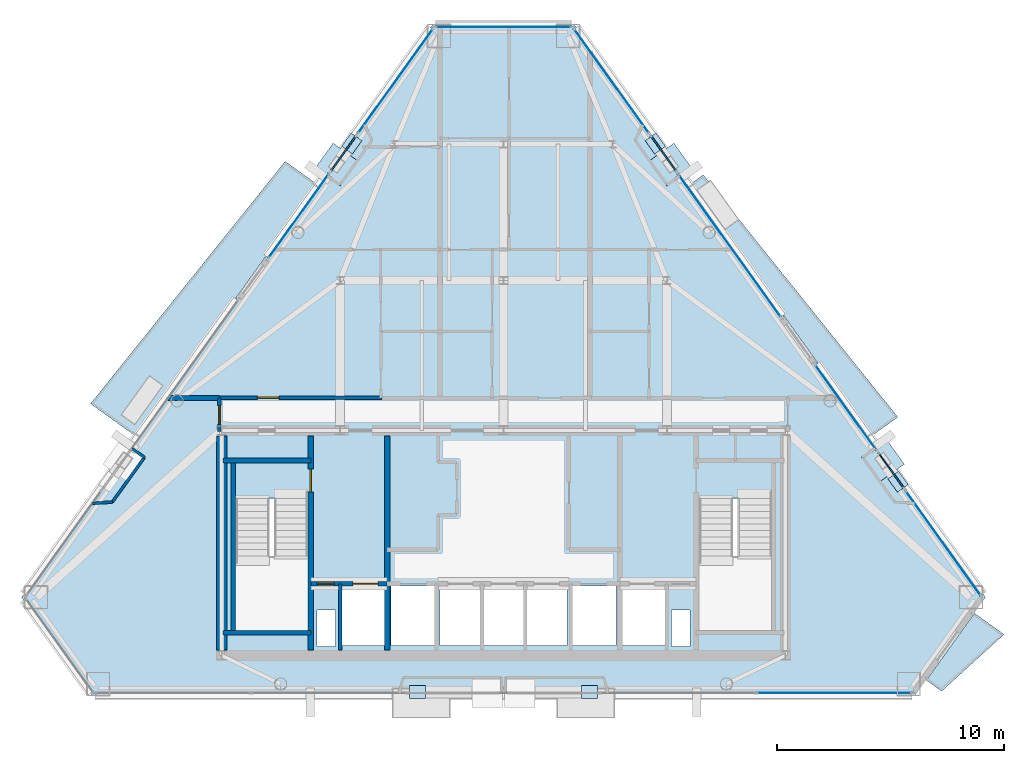
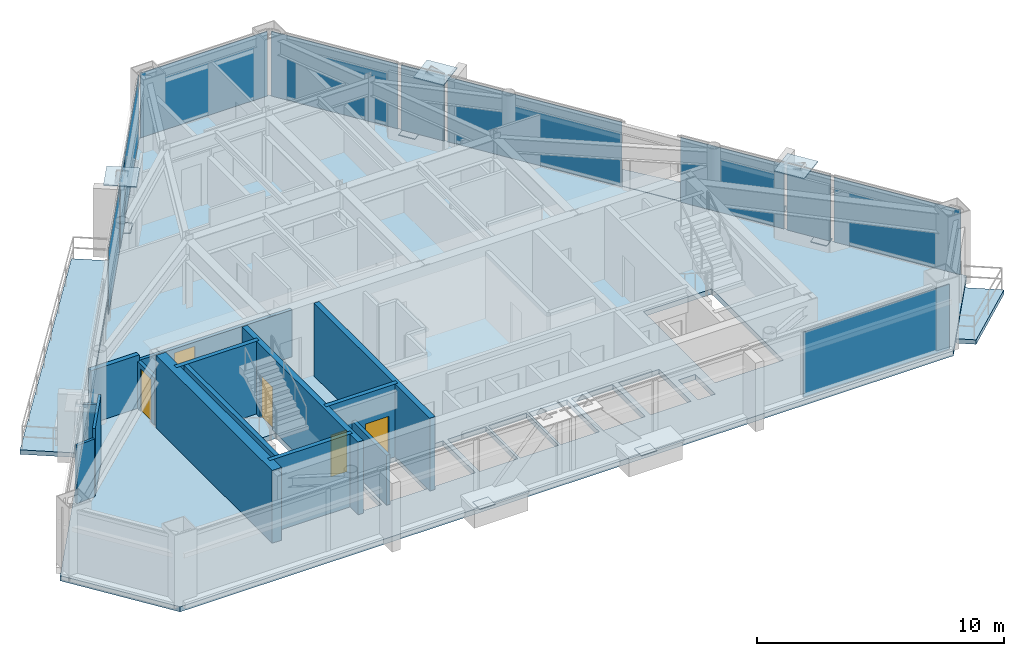
# One storey, part 7 of 12: 19 plates, 14 walls, 5 doors, 4 slabs, 5 openings, 11 elements without a shape of their own.
"""IFC4 building model written with IfcOpenShell, lengths in metres."""

from ifc_helpers import new_model, si_unit, direction, frame, frame_2d, origin, origin_2d, place, context, subcontext, project, spatial, polyline, rectangle, outline, extrude, source, transform, mapped, material, layer, layer_set, type_object, type_shapes, element, fill, aggregate, save


model = new_model("IFC4")

# Units and contexts
model_context = context("Model", 3, precision=1e-05, world=origin(), true_north=direction((0.0, 1.0)))
body_context = subcontext(model_context, "Body", "Model", "MODEL_VIEW")
ifc_project = project(units=[si_unit("LENGTHUNIT", "METRE"), si_unit("AREAUNIT", "SQUARE_METRE"), si_unit("VOLUMEUNIT", "CUBIC_METRE"), si_unit("PLANEANGLEUNIT", "RADIAN"), si_unit("MASSUNIT", "GRAM", prefix="KILO")], contexts=[model_context])

# Site, building, storey
site_placement = place(None, origin())
site = spatial("IfcSite", under=ifc_project, at=site_placement, CompositionType="ELEMENT")
building_placement = place(site_placement, origin())
building = spatial("IfcBuilding", under=site, at=building_placement, Name="Talgorran Terracotta Tower", CompositionType="ELEMENT")
storey_placement = place(building_placement, frame((0.0, 0.0, 221.699951171875)))
storey = spatial("IfcBuildingStorey", under=building, at=storey_placement, Name="L58", CompositionType="ELEMENT", Elevation=221.699951171875)

# Plates
ifc_material_1 = material(Name="Steel Grade 350 (350L0)", Category="steel")
ifc_layer_1 = layer(ifc_material_1, 0.031982421875, Name="PL_CAP_MN07")
ifc_layer_set_1 = layer_set([ifc_layer_1], Name="Steel Grade 350 (350L0)")
plate_type_1 = type_object("IfcPlateType", Name="PL_CAP_MN07", PredefinedType="USERDEFINED", material=ifc_layer_set_1)
for number, where, z_axis, x_axis, name in (
    (1, (-3.783203125, -15.712158203125, -0.005859375), (0.0, 0.0, 1.0), (1.0, 0.0, 0.0), "L58 Diagonal Frame End Cap SWF Bot"),
    (2, (3.783203125, -15.712158203125, -0.005859375), (0.0, 0.0, 1.0), (-1.0, 0.0, 0.0), "L58 Diagonal Frame End Cap SEF Bot"),
    (3, (17.359619140625, -6.453857421875, -0.005859375), (0.0, 0.0, 1.0), (-0.583115925445, 0.812388957023, 0.0), "L58 Diagonal Frame End Cap NEL Bot"),
    (4, (6.67822265625, 8.42724609375, -0.005859375), (0.0, 0.0, 1.0), (0.583115925445, -0.812388957023, 0.0), "L58 Diagonal Frame End Cap NEU Bot"),
    (5, (-6.67822265625, 8.42724609375, -0.005859375), (0.0, 0.0, 1.0), (-0.583115925445, -0.812388957023, 0.0), "L58 Diagonal Frame End Cap NWU Bot"),
):
    element("IfcPlate", number, at=place(storey_placement, frame(where, z_axis=z_axis, x_axis=x_axis)), inside=storey, type_object=plate_type_1, Name=name, ObjectType="CAP PLATE", PredefinedType="USERDEFINED", context=body_context, shape_type="SweptSolid", body=[
        extrude(rectangle(XDim=0.719970703125, YDim=0.580078125, at=origin_2d()), origin(), (0.0, 0.0, 1.0), 0.031982421875),
    ])
ifc_layer_2 = layer(ifc_material_1, 0.050048828125, Name="PL_NODE_MN03")
ifc_layer_set_2 = layer_set([ifc_layer_2], Name="Steel Grade 350 (350L0)")
plate_type_2 = type_object("IfcPlateType", Name="PL_NODE_MN03", PredefinedType="USERDEFINED", material=ifc_layer_set_2)
for number, where, z_axis, x_axis, name in (
    (6, (16.694091796875, -5.527099609375, 3.31005859375), (0.0, 0.0, 1.0), (-0.583115925445, 0.812388957023, 0.0), "L58 Diagonal Frame End Cap NEL Top"),
    (7, (7.343505859375, 7.50048828125, 3.31005859375), (0.0, 0.0, 1.0), (0.583115925445, -0.812388957023, 0.0), "L58 Diagonal Frame End Cap NEU Top"),
    (8, (-7.343505859375, 7.50048828125, 3.31005859375), (0.0, 0.0, 1.0), (-0.583115925445, -0.812388957023, 0.0), "L58 Diagonal Frame End Cap NWU Top"),
):
    element("IfcPlate", number, at=place(storey_placement, frame(where, z_axis=z_axis, x_axis=x_axis)), inside=storey, type_object=plate_type_2, Name=name, ObjectType="NODE PLATE", PredefinedType="USERDEFINED", context=body_context, shape_type="SweptSolid", body=[
        extrude(rectangle(XDim=1.35009765625, YDim=1.35009765625, at=origin_2d()), origin(), (0.0, 0.0, 1.0), 0.050048828125),
    ])

# Slabs
ifc_material_2 = material(Name="Concrete C40/50", Category="concrete")
ifc_layer_3 = layer(ifc_material_2, 0.219970703125, Name="SL_BALCONY_220")
ifc_layer_set_3 = layer_set([ifc_layer_3], Name="Concrete C40/50")
slab_type_1 = type_object("IfcSlabType", Name="SL_BALCONY_220", PredefinedType="FLOOR", material=ifc_layer_set_3)
slab_1_placement = place(storey_placement, frame((0.0, 0.0, -0.219970703125)))
element("IfcSlab", 9, at=slab_1_placement, inside=storey, type_object=slab_type_1, Name="L58 Outdoor Wave Balcony BAL-NE", PredefinedType="FLOOR", context=body_context, shape_type="SweptSolid", body=[
    extrude(outline(polyline([(8.189208984375, 6.622314453125), (16.15185546875, -4.47119140625), (17.349609375, -3.611572265625), (8.785400390625, 7.050048828125), (8.189208984375, 6.622314453125)])), origin(), (0.0, 0.0, 1.0), 0.219970703125),
])
slab_2_placement = place(storey_placement, frame((0.0, 0.0, -0.219970703125)))
element("IfcSlab", 10, at=slab_2_placement, inside=storey, type_object=slab_type_1, Name="L58 Outdoor Wave Balcony BAL-NW", PredefinedType="FLOOR", context=body_context, shape_type="SweptSolid", body=[
    extrude(outline(polyline([(-16.15185546875, -4.47119140625), (-8.189208984375, 6.622314453125), (-9.607421875, 7.64013671875), (-18.171630859375, -3.021484375), (-16.15185546875, -4.47119140625)])), origin(), (0.0, 0.0, 1.0), 0.219970703125),
])
slab_3_placement = place(storey_placement, frame((0.0, 0.0, -0.219970703125)))
element("IfcSlab", 11, at=slab_3_placement, inside=storey, type_object=slab_type_1, Name="L58 Outdoor Wave Balcony BAL-SE", PredefinedType="FLOOR", context=body_context, shape_type="SweptSolid", body=[
    extrude(outline(polyline([(20.723388671875, -12.239013671875), (18.60498046875, -15.1904296875), (19.275634765625, -15.671875), (22.021484375, -13.170654296875), (20.723388671875, -12.239013671875)])), origin(), (0.0, 0.0, 1.0), 0.219970703125),
])
ifc_layer_4 = layer(ifc_material_2, 0.2548828125, Name="SL_TOWER_235")
ifc_layer_set_4 = layer_set([ifc_layer_4], Name="Concrete C40/50")
slab_type_2 = type_object("IfcSlabType", Name="SL_TOWER_235", PredefinedType="FLOOR", material=ifc_layer_set_4)
slab_4_placement = place(storey_placement, frame((0.0, 0.0, -0.2548828125)))
element("IfcSlab", 12, at=slab_4_placement, inside=storey, type_object=slab_type_2, Name="Storey L58 Structural Floor Slab", PredefinedType="FLOOR", context=body_context, shape_type="SweptSolid", body=[
    extrude(outline(polyline([(-21.206787109375, -11.53955078125), (-18.096923828125, -15.872314453125), (18.096923828125, -15.872314453125), (21.206787109375, -11.53955078125), (3.10986328125, 13.673095703125), (-3.10986328125, 13.673095703125), (-21.206787109375, -11.53955078125)]), holes=[polyline([(-11.800048828125, -7.199951171875), (-11.800048828125, -13.0), (-8.60009765625, -13.0), (-8.60009765625, -7.199951171875), (-11.800048828125, -7.199951171875)]), polyline([(8.60009765625, -7.199951171875), (8.60009765625, -13.0), (11.800048828125, -13.0), (11.800048828125, -7.199951171875), (8.60009765625, -7.199951171875)]), polyline([(-7.10009765625, -13.64990234375), (-5.199951171875, -13.64990234375), (-5.199951171875, -11.050048828125), (-7.10009765625, -11.050048828125), (-7.10009765625, -13.64990234375)]), polyline([(5.199951171875, -13.64990234375), (7.10009765625, -13.64990234375), (7.10009765625, -11.050048828125), (5.199951171875, -11.050048828125), (5.199951171875, -13.64990234375)]), polyline([(3.0, -13.64990234375), (4.949951171875, -13.64990234375), (4.949951171875, -11.050048828125), (3.0, -11.050048828125), (3.0, -13.64990234375)]), polyline([(-4.949951171875, -13.64990234375), (-3.0, -13.64990234375), (-3.0, -11.050048828125), (-4.949951171875, -11.050048828125), (-4.949951171875, -13.64990234375)]), polyline([(-2.800048828125, -13.64990234375), (-1.0, -13.64990234375), (-1.0, -11.050048828125), (-2.800048828125, -11.050048828125), (-2.800048828125, -13.64990234375)]), polyline([(-0.89990234375, -13.64990234375), (0.89990234375, -13.64990234375), (0.89990234375, -11.050048828125), (-0.89990234375, -11.050048828125), (-0.89990234375, -13.64990234375)]), polyline([(1.0, -13.64990234375), (2.800048828125, -13.64990234375), (2.800048828125, -11.050048828125), (1.0, -11.050048828125), (1.0, -13.64990234375)]), polyline([(-8.199951171875, -13.699951171875), (-7.39990234375, -13.699951171875), (-7.39990234375, -12.10009765625), (-8.199951171875, -12.10009765625), (-8.199951171875, -13.699951171875)]), polyline([(7.39990234375, -13.699951171875), (8.199951171875, -13.699951171875), (8.199951171875, -12.10009765625), (7.39990234375, -12.10009765625), (7.39990234375, -13.699951171875)])]), origin(), (0.0, 0.0, 1.0), 0.2548828125),
])

# Curtain wall, plate
ifc_material_3 = material(Name="High-Wind Unitised Glazing", Category="glass")
ifc_layer_5 = layer(ifc_material_3, 0.2099609375, Name="CW_SYS3_RES_HIGH")
ifc_layer_set_5 = layer_set([ifc_layer_5], Name="High-Wind Unitised Glazing")
curtain_wall_type = type_object("IfcCurtainWallType", Name="CW_SYS3_RES_HIGH", PredefinedType="NOTDEFINED", material=ifc_layer_set_5)
curtain_wall_1_placement = place(storey_placement, origin())
curtain_wall_1 = element("IfcCurtainWall", 13, at=curtain_wall_1_placement, inside=storey, type_object=curtain_wall_type, Name="CW-L58-F4", PredefinedType="NOTDEFINED")
ifc_material_4 = material(Name="High-Wind Acoustic Vision Glass", Category="glass")
ifc_layer_6 = layer(ifc_material_4, 0.031982421875, Name="PLT_VISION_32")
ifc_layer_set_6 = layer_set([ifc_layer_6], Name="High-Wind Acoustic Vision Glass")
plate_type_3 = type_object("IfcPlateType", Name="PLT_VISION_32", PredefinedType="CURTAIN_PANEL", material=ifc_layer_set_6)
shared_shape_1 = source(origin(), body_context, "Body", "SweptSolid", [
    extrude(rectangle(XDim=5.95654296875, YDim=0.031982421875, at=origin_2d()), origin(), (0.0, 0.0, 1.0), 3.205078125),
])
plate_1_placement = place(storey_placement, frame((0.0, 13.552978515625, 0.070068359375), z_axis=(0.0, 0.0, 1.0), x_axis=(-1.0, 0.0, 0.0)))
plate_1 = element("IfcPlate", 14, at=plate_1_placement, type_object=plate_type_3, Name="CW-L58-4 panel 1.1", PredefinedType="CURTAIN_PANEL", context=body_context, shape_type="MappedRepresentation", body=[
    mapped(shared_shape_1, transform((0.0, 0.0, 0.0), scale=1.0)),
])
aggregate(curtain_wall_1, [plate_1])

curtain_wall_2_placement = place(storey_placement, origin())
curtain_wall_2 = element("IfcCurtainWall", 15, at=curtain_wall_2_placement, inside=storey, type_object=curtain_wall_type, Name="CW-L58-F1E", PredefinedType="NOTDEFINED")
shared_shape_2 = source(origin(), body_context, "Body", "SweptSolid", [
    extrude(rectangle(XDim=6.821044921875, YDim=0.031982421875, at=origin_2d()), origin(), (0.0, 0.0, 1.0), 3.205078125),
])
plate_2_placement = place(storey_placement, frame((14.554931640625, -15.752197265625, 0.070068359375), z_axis=(0.0, 0.0, 1.0), x_axis=(1.0, 0.0, 0.0)))
plate_2 = element("IfcPlate", 16, at=plate_2_placement, type_object=plate_type_3, Name="CW-L58-1E panel 2.1", PredefinedType="CURTAIN_PANEL", context=body_context, shape_type="MappedRepresentation", body=[
    mapped(shared_shape_2, transform((0.0, 0.0, 0.0), scale=1.0)),
])
aggregate(curtain_wall_2, [plate_2])

curtain_wall_3_placement = place(storey_placement, origin())
curtain_wall_3 = element("IfcCurtainWall", 17, at=curtain_wall_3_placement, inside=storey, type_object=curtain_wall_type, Name="CW-L58-F40", PredefinedType="NOTDEFINED")
shared_shape_3 = source(origin(), body_context, "Body", "SweptSolid", [
    extrude(rectangle(XDim=5.64111328125, YDim=0.031982421875, at=origin_2d()), origin(), (0.0, 0.0, 1.0), 3.205078125),
])
plate_3_placement = place(storey_placement, frame((19.350341796875, -9.158935546875, 0.070068359375), z_axis=(0.0, 0.0, 1.0), x_axis=(-0.583110196234, 0.812393069301, 0.0)))
plate_3 = element("IfcPlate", 18, at=plate_3_placement, type_object=plate_type_3, Name="CW-L58-40 panel 1.1", PredefinedType="CURTAIN_PANEL", context=body_context, shape_type="MappedRepresentation", body=[
    mapped(shared_shape_3, transform((0.0, 0.0, 0.0), scale=1.0)),
])
aggregate(curtain_wall_3, [plate_3])

curtain_wall_4_placement = place(storey_placement, origin())
curtain_wall_4 = element("IfcCurtainWall", 19, at=curtain_wall_4_placement, inside=storey, type_object=curtain_wall_type, Name="CW-L58-F40B", PredefinedType="NOTDEFINED")
ifc_material_5 = material(Name="Terracotta Insulated Spandrel", Category="masonry")
ifc_layer_7 = layer(ifc_material_5, 0.06494140625, Name="PLT_SPANDREL_TERRA")
ifc_layer_set_7 = layer_set([ifc_layer_7], Name="Terracotta Insulated Spandrel")
plate_type_4 = type_object("IfcPlateType", Name="PLT_SPANDREL_TERRA", PredefinedType="SHEET", material=ifc_layer_set_7)
shared_shape_4 = source(origin(), body_context, "Body", "SweptSolid", [
    extrude(rectangle(XDim=1.91650390625, YDim=0.06494140625, at=origin_2d()), origin(), (0.0, 0.0, 1.0), 3.205078125),
])
type_shapes(plate_type_4, [shared_shape_4])
plate_4_placement = place(storey_placement, frame((17.059326171875, -5.967041015625, 0.070068359375), z_axis=(0.0, 0.0, 1.0), x_axis=(-0.583117924535, 0.812387522114, 0.0)))
plate_4 = element("IfcPlate", 20, at=plate_4_placement, type_object=plate_type_4, Name="CW-L58-40B panel 1.1", PredefinedType="CURTAIN_PANEL", context=body_context, shape_type="MappedRepresentation", body=[
    mapped(shared_shape_4, transform((0.0, 0.0, 0.0), scale=1.0)),
])
aggregate(curtain_wall_4, [plate_4])

curtain_wall_5_placement = place(storey_placement, origin())
curtain_wall_5 = element("IfcCurtainWall", 21, at=curtain_wall_5_placement, inside=storey, type_object=curtain_wall_type, Name="CW-L58-F41B", PredefinedType="NOTDEFINED")
plate_5_placement = place(storey_placement, frame((7.043212890625, 7.987060546875, 0.070068359375), z_axis=(0.0, 0.0, 1.0), x_axis=(-0.583117924535, 0.812387522114, 0.0)))
plate_5 = element("IfcPlate", 22, at=plate_5_placement, type_object=plate_type_4, Name="CW-L58-41B panel 1.1", PredefinedType="CURTAIN_PANEL", context=body_context, shape_type="MappedRepresentation", body=[
    mapped(shared_shape_4, transform((0.0, 0.0, 0.0), scale=1.0)),
])
aggregate(curtain_wall_5, [plate_5])

curtain_wall_6_placement = place(storey_placement, origin())
curtain_wall_6 = element("IfcCurtainWall", 23, at=curtain_wall_6_placement, inside=storey, type_object=curtain_wall_type, Name="CW-L58-F60B", PredefinedType="NOTDEFINED")
plate_6_placement = place(storey_placement, frame((-7.043212890625, 7.987060546875, 0.070068359375), z_axis=(0.0, 0.0, 1.0), x_axis=(-0.583117924535, -0.812387522114, 0.0)))
plate_6 = element("IfcPlate", 24, at=plate_6_placement, type_object=plate_type_4, Name="CW-L58-60B panel 1.1", PredefinedType="CURTAIN_PANEL", context=body_context, shape_type="MappedRepresentation", body=[
    mapped(shared_shape_4, transform((0.0, 0.0, 0.0), scale=1.0)),
])
aggregate(curtain_wall_6, [plate_6])

curtain_wall_7_placement = place(storey_placement, origin())
curtain_wall_7 = element("IfcCurtainWall", 25, at=curtain_wall_7_placement, inside=storey, type_object=curtain_wall_type, Name="CW-L58-F40C", PredefinedType="NOTDEFINED")
shared_shape_5 = source(origin(), body_context, "Body", "SweptSolid", [
    extrude(rectangle(XDim=4.61572265625, YDim=0.031982421875, at=origin_2d()), origin(), (0.0, 0.0, 1.0), 3.205078125),
])
plate_7_placement = place(storey_placement, frame((15.0673828125, -3.19189453125, 0.070068359375), z_axis=(0.0, 0.0, 1.0), x_axis=(-0.5831203243, 0.812385799598, 0.0)))
plate_7 = element("IfcPlate", 26, at=plate_7_placement, type_object=plate_type_3, Name="CW-L58-40C panel 1.1", PredefinedType="CURTAIN_PANEL", context=body_context, shape_type="MappedRepresentation", body=[
    mapped(shared_shape_5, transform((0.0, 0.0, 0.0), scale=1.0)),
])
aggregate(curtain_wall_7, [plate_7])

curtain_wall_8_placement = place(storey_placement, origin())
curtain_wall_8 = element("IfcCurtainWall", 27, at=curtain_wall_8_placement, inside=storey, type_object=curtain_wall_type, Name="CW-L58-F41", PredefinedType="NOTDEFINED")
shared_shape_6 = source(origin(), body_context, "Body", "SweptSolid", [
    extrude(rectangle(XDim=7.74462890625, YDim=0.031982421875, at=origin_2d()), origin(), (0.0, 0.0, 1.0), 3.205078125),
])
plate_8_placement = place(storey_placement, frame((9.947509765625, 3.94091796875, 0.070068359375), z_axis=(0.0, 0.0, 1.0), x_axis=(-0.583116649942, 0.812388436994, 0.0)))
plate_8 = element("IfcPlate", 28, at=plate_8_placement, type_object=plate_type_3, Name="CW-L58-41 panel 1.1", PredefinedType="CURTAIN_PANEL", context=body_context, shape_type="MappedRepresentation", body=[
    mapped(shared_shape_6, transform((0.0, 0.0, 0.0), scale=1.0)),
])
aggregate(curtain_wall_8, [plate_8])

curtain_wall_9_placement = place(storey_placement, origin())
curtain_wall_9 = element("IfcCurtainWall", 29, at=curtain_wall_9_placement, inside=storey, type_object=curtain_wall_type, Name="CW-L58-F41C", PredefinedType="NOTDEFINED")
shared_shape_7 = source(origin(), body_context, "Body", "SweptSolid", [
    extrude(rectangle(XDim=5.633056640625, YDim=0.031982421875, at=origin_2d()), origin(), (0.0, 0.0, 1.0), 3.205078125),
])
plate_9_placement = place(storey_placement, frame((4.754638671875, 11.175537109375, 0.070068359375), z_axis=(0.0, 0.0, 1.0), x_axis=(-0.583114457322, 0.812390010809, 0.0)))
plate_9 = element("IfcPlate", 30, at=plate_9_placement, type_object=plate_type_3, Name="CW-L58-41C panel 1.1", PredefinedType="CURTAIN_PANEL", context=body_context, shape_type="MappedRepresentation", body=[
    mapped(shared_shape_7, transform((0.0, 0.0, 0.0), scale=1.0)),
])
aggregate(curtain_wall_9, [plate_9])

curtain_wall_10_placement = place(storey_placement, origin())
curtain_wall_10 = element("IfcCurtainWall", 31, at=curtain_wall_10_placement, inside=storey, type_object=curtain_wall_type, Name="CW-L58-F60", PredefinedType="NOTDEFINED")
plate_10_placement = place(storey_placement, frame((-4.754638671875, 11.175537109375, 0.070068359375), z_axis=(0.0, 0.0, 1.0), x_axis=(-0.583114457322, -0.812390010809, 0.0)))
plate_10 = element("IfcPlate", 32, at=plate_10_placement, type_object=plate_type_3, Name="CW-L58-60 panel 1.1", PredefinedType="CURTAIN_PANEL", context=body_context, shape_type="MappedRepresentation", body=[
    mapped(shared_shape_7, transform((0.0, 0.0, 0.0), scale=1.0)),
])
aggregate(curtain_wall_10, [plate_10])

curtain_wall_11_placement = place(storey_placement, origin())
curtain_wall_11 = element("IfcCurtainWall", 33, at=curtain_wall_11_placement, inside=storey, type_object=curtain_wall_type, Name="CW-L58-F60C", PredefinedType="NOTDEFINED")
shared_shape_8 = source(origin(), body_context, "Body", "SweptSolid", [
    extrude(rectangle(XDim=4.550537109375, YDim=0.031982421875, at=origin_2d()), origin(), (0.0, 0.0, 1.0), 3.205078125),
])
type_shapes(plate_type_3, [shared_shape_1, shared_shape_2, shared_shape_3, shared_shape_5, shared_shape_6, shared_shape_7, shared_shape_8])
plate_11_placement = place(storey_placement, frame((-9.016357421875, 5.238525390625, 0.070068359375), z_axis=(0.0, 0.0, 1.0), x_axis=(-0.583116237621, -0.812388732949, 0.0)))
plate_11 = element("IfcPlate", 34, at=plate_11_placement, type_object=plate_type_3, Name="CW-L58-60C panel 1.1", PredefinedType="CURTAIN_PANEL", context=body_context, shape_type="MappedRepresentation", body=[
    mapped(shared_shape_8, transform((0.0, 0.0, 0.0), scale=1.0)),
])
aggregate(curtain_wall_11, [plate_11])

# Walls
ifc_material_6 = material(Name="Concrete C50/60", Category="concrete")
ifc_layer_8 = layer(ifc_material_6, 0.199951171875, Name="WT_CORE_200")
ifc_layer_set_8 = layer_set([ifc_layer_8], Name="Concrete C50/60")
wall_type_1 = type_object("IfcWallType", Name="WT_CORE_200", PredefinedType="SOLIDWALL", material=ifc_layer_set_8)
for number, where, z_axis, x_axis, name in (
    (35, (-12.35009765625, -5.52001953125, 0.0), (0.0, 0.0, 1.0), (1.0, 0.0, 0.0), "WL-L58-CW-ST1-N"),
    (36, (-12.35009765625, -13.10009765625, 0.0), (0.0, 0.0, 1.0), (1.0, 0.0, 0.0), "WL-L58-CW-ST1-S"),
):
    element("IfcWall", number, at=place(storey_placement, frame(where, z_axis=z_axis, x_axis=x_axis)), inside=storey, type_object=wall_type_1, Name=name, PredefinedType="SOLIDWALL", context=body_context, shape_type="SweptSolid", body=[
        extrude(rectangle(XDim=3.8701171875, YDim=0.199951171875, at=frame_2d((1.93505859375, 0.0))), origin(), (0.0, 0.0, 1.0), 3.60009765625),
    ])
wall_1_placement = place(storey_placement, frame((-11.89990234375, -13.10009765625, 0.0), z_axis=(0.0, 0.0, 1.0), x_axis=(0.0, 1.0, 0.0)))
element("IfcWall", 37, at=wall_1_placement, inside=storey, type_object=wall_type_1, Name="WL-L58-CW-ST1-W", PredefinedType="SOLIDWALL", context=body_context, shape_type="SweptSolid", body=[
    extrude(rectangle(XDim=7.580078125, YDim=0.199951171875, at=frame_2d((3.7900390625, 0.0))), origin(), (0.0, 0.0, 1.0), 3.60009765625),
])

# Wall, openings, doors
wall_2_placement = place(storey_placement, frame((-8.47998046875, -10.949951171875, 0.0), z_axis=(0.0, 0.0, 1.0), x_axis=(1.0, 0.0, 0.0)))
wall_2 = element("IfcWall", 38, at=wall_2_placement, inside=storey, type_object=wall_type_1, Name="WL-L58-CW-H-SBW", PredefinedType="SOLIDWALL", context=body_context, shape_type="SweptSolid", body=[
    extrude(rectangle(XDim=3.35986328125, YDim=0.199951171875, at=frame_2d((1.679931640625, 0.0))), origin(), (0.0, 0.0, 1.0), 3.60009765625),
])
opening_1_placement = place(wall_2_placement, frame((0.280029296875, 0.0, 0.0)))
opening_1 = element("IfcOpeningElement", 39, at=opening_1_placement, cuts=wall_2, Name="Opening DR-RSW", PredefinedType="OPENING", context=body_context, shape_type="SweptSolid", body=[
    extrude(rectangle(XDim=0.756, YDim=2.054048828125, at=frame_2d((0.375, 1.027099609375))), frame((0.0, 0.10986328125, 0.0), z_axis=(0.0, -1.0, 0.0), x_axis=(1.0, 0.0, 0.0)), (0.0, 0.0, 1.0), 0.219970703125),
])
opening_2_placement = place(wall_2_placement, frame((1.85009765625, 0.0, 0.0)))
opening_2 = element("IfcOpeningElement", 40, at=opening_2_placement, cuts=wall_2, Name="Opening LD-FFL1", PredefinedType="OPENING", context=body_context, shape_type="SweptSolid", body=[
    extrude(rectangle(XDim=1.10609765625, YDim=2.10409765625, at=frame_2d((0.550048828125, 1.052001953125))), frame((0.0, 0.10986328125, 0.0), z_axis=(0.0, -1.0, 0.0), x_axis=(1.0, 0.0, 0.0)), (0.0, 0.0, 1.0), 0.219970703125),
])
ifc_material_7 = material(Name="Brushed Stainless Steel Grade 304", Category="steel")
door_type_1 = type_object("IfcDoorType", Name="DT_LIFT_LD1100", OperationType="DOUBLE_DOOR_SLIDING", PredefinedType="DOOR", material=ifc_material_7)
door_1_placement = place(opening_2_placement, origin())
door_1 = element("IfcDoor", 41, at=door_1_placement, inside=storey, type_object=door_type_1, Name="L58 Lift Landing Door LD-FFL1", OperationType="DOUBLE_DOOR_SLIDING", OverallHeight=2.10009765625, OverallWidth=1.10009765625, PredefinedType="DOOR", context=body_context, shape_type="SweptSolid", body=[
    extrude(rectangle(XDim=1.10009765625, YDim=2.10009765625, at=frame_2d((0.550048828125, 1.050048828125))), frame((0.0, 0.02490234375, 0.0), z_axis=(0.0, -1.0, 0.0), x_axis=(1.0, 0.0, 0.0)), (0.0, 0.0, 1.0), 0.050048828125),
])
fill(opening_2, door_1)
ifc_material_8 = material(Name="Fire-Rated Pressed Steel", Category="steel")
door_type_2 = type_object("IfcDoorType", Name="DT_RISER_750", OperationType="NOTDEFINED", PredefinedType="DOOR", material=ifc_material_8)
door_2_placement = place(opening_1_placement, origin())
door_2 = element("IfcDoor", 42, at=door_2_placement, inside=storey, type_object=door_type_2, Name="DR-RSW", OperationType="SINGLE_SWING_LEFT", OverallHeight=2.050048828125, OverallWidth=0.75, PredefinedType="DOOR", context=body_context, shape_type="SweptSolid", body=[
    extrude(rectangle(XDim=0.75, YDim=2.050048828125, at=frame_2d((0.375, 1.02490234375))), frame((0.0, 0.02490234375, 0.0), z_axis=(0.0, -1.0, 0.0), x_axis=(1.0, 0.0, 0.0)), (0.0, 0.0, 1.0), 0.050048828125),
])
fill(opening_1, door_2)

# Wall, opening, door
ifc_layer_9 = layer(ifc_material_6, 0.25, Name="WT_CORE_250")
ifc_layer_set_9 = layer_set([ifc_layer_9], Name="Concrete C50/60")
wall_type_2 = type_object("IfcWallType", Name="WT_CORE_250", PredefinedType="SHEAR", material=ifc_layer_set_9)
wall_3_placement = place(storey_placement, frame((-8.47998046875, -13.85009765625, 0.0), z_axis=(0.0, 0.0, 1.0), x_axis=(0.0, 1.0, 0.0)))
wall_3 = element("IfcWall", 43, at=wall_3_placement, inside=storey, type_object=wall_type_2, Name="WL-L58-CW-V-W1", PredefinedType="SHEAR", context=body_context, shape_type="SweptSolid", body=[
    extrude(rectangle(XDim=9.400146484375, YDim=0.25, at=frame_2d((4.7001953125, 0.0))), origin(), (0.0, 0.0, 1.0), 3.60009765625),
])
opening_3_placement = place(wall_3_placement, frame((6.949951171875, 0.0, 0.0)))
opening_3 = element("IfcOpeningElement", 44, at=opening_3_placement, cuts=wall_3, Name="Opening DR-ST01", PredefinedType="OPENING", context=body_context, shape_type="SweptSolid", body=[
    extrude(rectangle(XDim=1.006, YDim=2.10409765625, at=frame_2d((0.5, 1.052001953125))), frame((0.0, 0.135009765625, 0.0), z_axis=(0.0, -1.0, 0.0), x_axis=(1.0, 0.0, 0.0)), (0.0, 0.0, 1.0), 0.27001953125),
])
door_type_3 = type_object("IfcDoorType", Name="DT_FIRE_1000", OperationType="NOTDEFINED", PredefinedType="DOOR", material=ifc_material_8)
door_3_placement = place(opening_3_placement, origin())
door_3 = element("IfcDoor", 45, at=door_3_placement, inside=storey, type_object=door_type_3, Name="DR-ST01", OperationType="SINGLE_SWING_LEFT", OverallHeight=2.10009765625, OverallWidth=1.0, PredefinedType="DOOR", context=body_context, shape_type="SweptSolid", body=[
    extrude(rectangle(XDim=1.0, YDim=2.10009765625, at=frame_2d((0.5, 1.050048828125))), frame((0.0, 0.02490234375, 0.0), z_axis=(0.0, -1.0, 0.0), x_axis=(1.0, 0.0, 0.0)), (0.0, 0.0, 1.0), 0.050048828125),
])
fill(opening_3, door_3)

# Walls
wall_4_placement = place(storey_placement, frame((-5.1201171875, -13.85009765625, 0.0), z_axis=(0.0, 0.0, 1.0), x_axis=(0.0, 1.0, 0.0)))
element("IfcWall", 46, at=wall_4_placement, inside=storey, type_object=wall_type_2, Name="WL-L58-CW-V-W2", PredefinedType="SHEAR", context=body_context, shape_type="SweptSolid", body=[
    extrude(rectangle(XDim=9.400146484375, YDim=0.25, at=frame_2d((4.7001953125, 0.0))), origin(), (0.0, 0.0, 1.0), 3.60009765625),
])
ifc_material_9 = material(Name="Concrete C65/80", Category="concrete")
ifc_layer_10 = layer(ifc_material_9, 0.449951171875, Name="WT_CORE_EXT")
ifc_layer_set_10 = layer_set([ifc_layer_10], Name="Concrete C65/80")
wall_type_3 = type_object("IfcWallType", Name="WT_CORE_EXT", PredefinedType="SHEAR", material=ifc_layer_set_10)
wall_5_placement = place(storey_placement, frame((-12.39990234375, -13.85009765625, 0.0), z_axis=(0.0, 0.0, 1.0), x_axis=(0.0, 1.0, 0.0)))
element("IfcWall", 47, at=wall_5_placement, inside=storey, type_object=wall_type_3, Name="WL-L58-CW-OUT-W", PredefinedType="SHEAR", context=body_context, shape_type="SweptSolid", body=[
    extrude(rectangle(XDim=9.400146484375, YDim=0.449951171875, at=frame_2d((4.7001953125, 0.0))), origin(), (0.0, 0.0, 1.0), 3.60009765625),
])

# Wall, opening, door
ifc_material_10 = material(Name="Fire-Rated Steel Stud Plasterboard", Category="steel")
ifc_layer_11 = layer(ifc_material_10, 0.14990234375, Name="WT_FIRE_150")
ifc_layer_set_11 = layer_set([ifc_layer_11], Name="Fire-Rated Steel Stud Plasterboard")
wall_type_4 = type_object("IfcWallType", Name="WT_FIRE_150", PredefinedType="PARTITIONING", material=ifc_layer_set_11)
wall_6_placement = place(storey_placement, frame((-12.5, -2.760009765625, 0.0), z_axis=(0.0, 0.0, 1.0), x_axis=(1.0, 0.0, 0.0)))
wall_6 = element("IfcWall", 48, at=wall_6_placement, inside=storey, type_object=wall_type_4, Name="WL-L58-W-L58-R04", PredefinedType="PARTITIONING", context=body_context, shape_type="SweptSolid", body=[
    extrude(rectangle(XDim=7.159912109375, YDim=0.14990234375, at=frame_2d((3.580078125, 0.0))), origin(), (0.0, 0.0, 1.0), 2.320068359375),
])
opening_4_placement = place(wall_6_placement, frame((1.672119140625, 0.0, 0.0)))
opening_4 = element("IfcOpeningElement", 49, at=opening_4_placement, cuts=wall_6, Name="Opening DR-L58-R05", PredefinedType="OPENING", context=body_context, shape_type="SweptSolid", body=[
    extrude(rectangle(XDim=0.955951171875, YDim=2.10409765625, at=frame_2d((0.47509765625, 1.052001953125))), frame((0.0, 0.0849609375, 0.0), z_axis=(0.0, -1.0, 0.0), x_axis=(1.0, 0.0, 0.0)), (0.0, 0.0, 1.0), 0.169921875),
])
ifc_material_11 = material(Name="Fire-Rated Timber Core", Category="wood")
door_type_4 = type_object("IfcDoorType", Name="DT_FIRE_950", OperationType="NOTDEFINED", PredefinedType="DOOR", material=ifc_material_11)
door_4_placement = place(opening_4_placement, origin())
door_4 = element("IfcDoor", 50, at=door_4_placement, inside=storey, type_object=door_type_4, Name="DR-L58-R05", OperationType="SINGLE_SWING_LEFT", OverallHeight=2.10009765625, OverallWidth=0.949951171875, PredefinedType="DOOR", context=body_context, shape_type="SweptSolid", body=[
    extrude(rectangle(XDim=0.949951171875, YDim=2.10009765625, at=frame_2d((0.47509765625, 1.050048828125))), frame((0.0, 0.02490234375, 0.0), z_axis=(0.0, -1.0, 0.0), x_axis=(1.0, 0.0, 0.0)), (0.0, 0.0, 1.0), 0.050048828125),
])
fill(opening_4, door_4)

wall_7_placement = place(storey_placement, frame((-12.5, -4.239990234375, 0.0), z_axis=(0.0, 0.0, 1.0), x_axis=(0.0, 1.0, 0.0)))
wall_7 = element("IfcWall", 51, at=wall_7_placement, inside=storey, type_object=wall_type_4, Name="WL-L58-W-L58-R01", PredefinedType="PARTITIONING", context=body_context, shape_type="SweptSolid", body=[
    extrude(rectangle(XDim=1.47998046875, YDim=0.14990234375, at=frame_2d((0.739990234375, 0.0))), origin(), (0.0, 0.0, 1.0), 2.320068359375),
])
opening_5_placement = place(wall_7_placement, frame((0.31494140625, 0.0, 0.0)))
opening_5 = element("IfcOpeningElement", 52, at=opening_5_placement, cuts=wall_7, Name="Opening DR-L58-R01", PredefinedType="OPENING", context=body_context, shape_type="SweptSolid", body=[
    extrude(rectangle(XDim=0.826068359375, YDim=2.10409765625, at=frame_2d((0.41015625, 1.052001953125))), frame((0.0, 0.0849609375, 0.0), z_axis=(0.0, -1.0, 0.0), x_axis=(1.0, 0.0, 0.0)), (0.0, 0.0, 1.0), 0.169921875),
])
ifc_material_12 = material(Name="Moisture-Resistant Solid Timber", Category="wood")
door_type_5 = type_object("IfcDoorType", Name="DT_INT_820", OperationType="NOTDEFINED", PredefinedType="DOOR", material=ifc_material_12)
door_5_placement = place(opening_5_placement, origin())
door_5 = element("IfcDoor", 53, at=door_5_placement, inside=storey, type_object=door_type_5, Name="DR-L58-R01", OperationType="SINGLE_SWING_LEFT", OverallHeight=2.10009765625, OverallWidth=0.820068359375, PredefinedType="DOOR", context=body_context, shape_type="SweptSolid", body=[
    extrude(rectangle(XDim=0.820068359375, YDim=2.10009765625, at=frame_2d((0.41015625, 1.050048828125))), frame((0.0, 0.02490234375, 0.0), z_axis=(0.0, -1.0, 0.0), x_axis=(1.0, 0.0, 0.0)), (0.0, 0.0, 1.0), 0.050048828125),
])
fill(opening_5, door_5)

# Walls
ifc_material_13 = material(Name="Acoustic Masonry and Plasterboard", Category="masonry")
ifc_layer_12 = layer(ifc_material_13, 0.219970703125, Name="WT_PARTY_220")
ifc_layer_set_12 = layer_set([ifc_layer_12], Name="Acoustic Masonry and Plasterboard")
wall_type_5 = type_object("IfcWallType", Name="WT_PARTY_220", PredefinedType="PARTITIONING", material=ifc_layer_set_12)
wall_8_placement = place(storey_placement, frame((-14.75732421875, -2.760009765625, 0.0), z_axis=(0.0, 0.0, 1.0), x_axis=(1.0, 0.0, 0.0)))
element("IfcWall", 54, at=wall_8_placement, inside=storey, type_object=wall_type_5, Name="WL-L58-W-L58-R09", PredefinedType="PARTITIONING", context=body_context, shape_type="SweptSolid", body=[
    extrude(rectangle(XDim=2.25732421875, YDim=0.219970703125, at=frame_2d((1.128662109375, 0.0))), origin(), (0.0, 0.0, 1.0), 2.6201171875),
])
ifc_material_14 = material(Name="Insulated Steel Stud Plasterboard", Category="steel")
ifc_layer_13 = layer(ifc_material_14, 0.1201171875, Name="WT_PART_120")
ifc_layer_set_13 = layer_set([ifc_layer_13], Name="Insulated Steel Stud Plasterboard")
wall_type_6 = type_object("IfcWallType", Name="WT_PART_120", PredefinedType="PARTITIONING", material=ifc_layer_set_13)
wall_9_placement = place(storey_placement, frame((-15.801025390625, -5.38037109375, 0.0), z_axis=(0.0, 0.0, 1.0), x_axis=(-0.583201664134, -0.812327408716, 0.0)))
element("IfcWall", 55, at=wall_9_placement, inside=storey, type_object=wall_type_6, Name="WL-L58-BW-L58-08", PredefinedType="PARTITIONING", context=body_context, shape_type="SweptSolid", body=[
    extrude(rectangle(XDim=2.4208984375, YDim=0.1201171875, at=frame_2d((1.21044921875, 0.0))), origin(), (0.0, 0.0, 1.0), 3.344970703125),
])
wall_10_placement = place(storey_placement, frame((-17.212890625, -7.346923828125, 0.0), z_axis=(0.0, 0.0, 1.0), x_axis=(-0.997593647417, -0.069331916407, 0.0)))
element("IfcWall", 56, at=wall_10_placement, inside=storey, type_object=wall_type_6, Name="WL-L58-BW-L58-09", PredefinedType="PARTITIONING", context=body_context, shape_type="SweptSolid", body=[
    extrude(rectangle(XDim=0.869873046875, YDim=0.1201171875, at=frame_2d((0.43505859375, 0.0))), origin(), (0.0, 0.0, 1.0), 2.863037109375),
])
wall_11_placement = place(storey_placement, frame((-16.345458984375, -4.989501953125, 0.0), z_axis=(0.0, 0.0, 1.0), x_axis=(0.812328158573, -0.583200619675, 0.0)))
element("IfcWall", 57, at=wall_11_placement, inside=storey, type_object=wall_type_6, Name="WL-L58-BW-L58-07", PredefinedType="PARTITIONING", context=body_context, shape_type="SweptSolid", body=[
    extrude(rectangle(XDim=0.670166015625, YDim=0.1201171875, at=frame_2d((0.3349609375, 0.0))), origin(), (0.0, 0.0, 1.0), 2.863037109375),
])
ifc_material_15 = material(Name="Fire-Rated Shaftwall")
ifc_layer_14 = layer(ifc_material_15, 0.159912109375, Name="WT_PART_150")
ifc_layer_set_14 = layer_set([ifc_layer_14], Name="Fire-Rated Shaftwall")
wall_type_7 = type_object("IfcWallType", Name="WT_PART_150", PredefinedType="PARTITIONING", material=ifc_layer_set_14)
wall_12_placement = place(storey_placement, frame((-7.179931640625, -13.85009765625, 0.0), z_axis=(0.0, 0.0, 1.0), x_axis=(0.0, 1.0, 0.0)))
element("IfcWall", 58, at=wall_12_placement, inside=storey, type_object=wall_type_7, Name="WL-L58-CW-RSW", PredefinedType="PARTITIONING", context=body_context, shape_type="SweptSolid", body=[
    extrude(rectangle(XDim=2.900146484375, YDim=0.159912109375, at=frame_2d((1.4501953125, 0.0))), origin(), (0.0, 0.0, 1.0), 2.469970703125),
])

save(model, "model.ifc")
